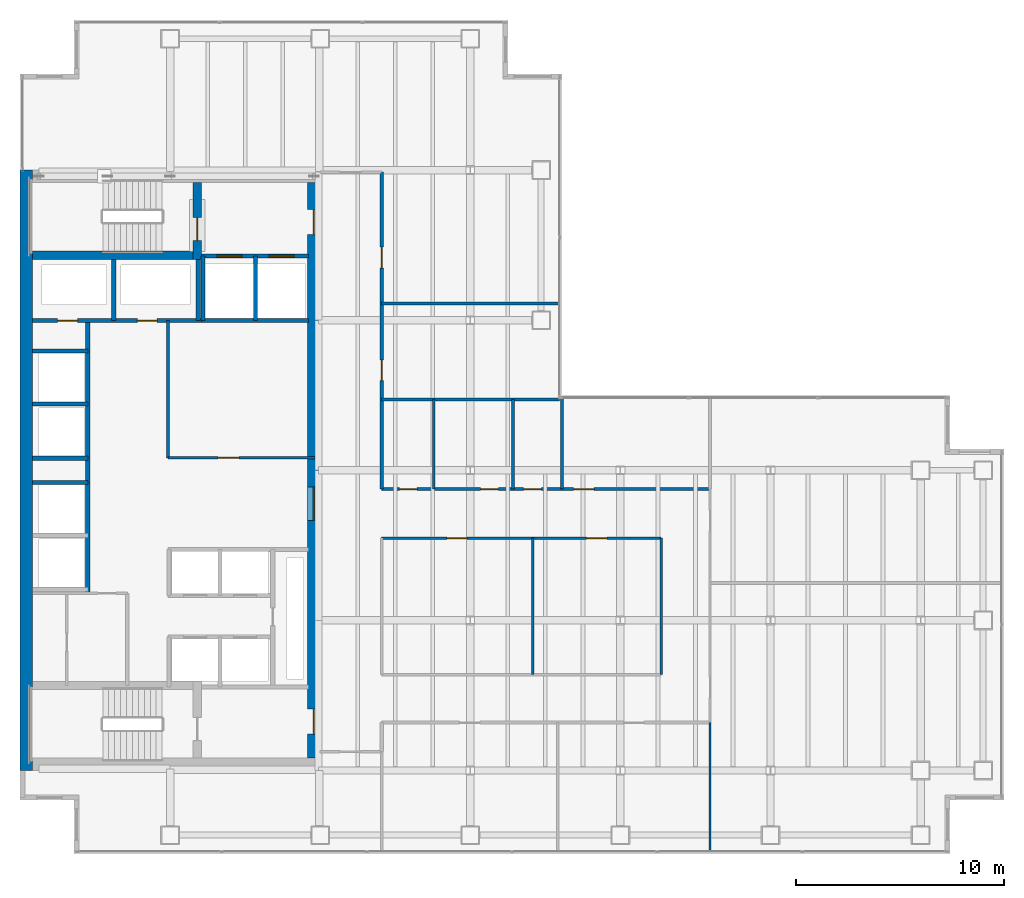
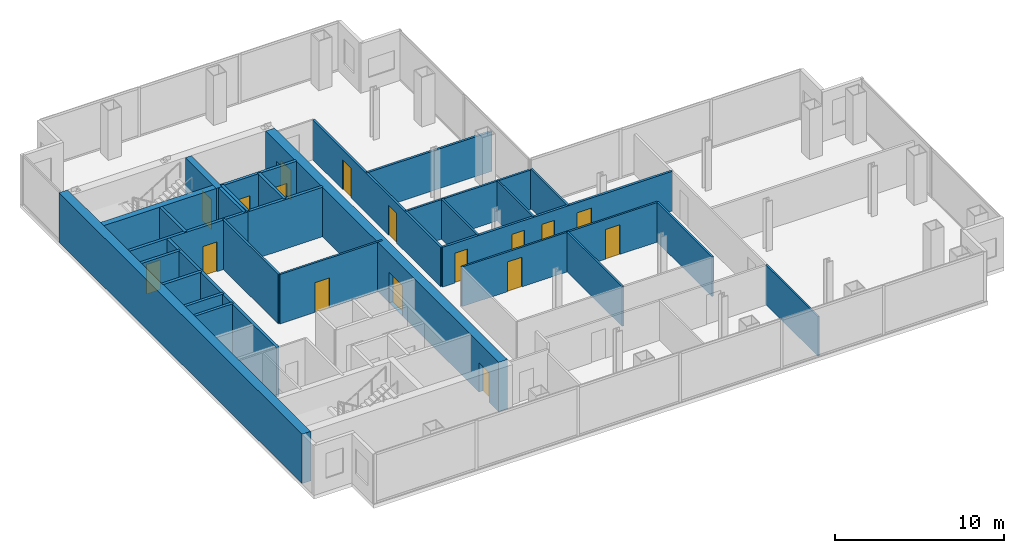
# One storey, part 21 of 23: 29 walls, 17 doors, 17 openings.
"""IFC4 building model written with IfcOpenShell, lengths in metres."""

import ifcopenshell
import ifcopenshell.guid

model = None  # the IFC model being written
_history = None  # IfcOwnerHistory: only IFC2X3 demands one
_inside = {}  # id of a spatial element -> (the spatial element, [elements in it])
_under = {}  # id of a project, library or spatial element -> (it, [spatial elements below it])
_declared = {}  # id of a project -> (the project, [libraries it declares])
_typed = {}  # id of a type object -> (the type object, [elements of that type])
_made_of = {}  # id of a material, layer set ... -> (it, [elements and type objects made of it])


def new_model(schema):
    """Start an empty IFC model of exactly this schema.

    Asked for "IFC4X3", IfcOpenShell would pick the latest addendum, in which some entities
    have other attributes; the version numbers below select the first issue.
    IFC2X3 requires an IfcOwnerHistory on every rooted entity: one is made here for all.
    """
    global model, _history
    if schema == "IFC4X3":
        model = ifcopenshell.file(schema_version=(4, 3, 0, 0))
    else:
        model = ifcopenshell.file(schema=schema)
    _inside.clear()
    _under.clear()
    _declared.clear()
    _typed.clear()
    _made_of.clear()
    _history = None
    if model.schema == "IFC2X3":
        org = make("IfcOrganization", Name="unknown")
        user = make(
            "IfcPersonAndOrganization",
            ThePerson=make("IfcPerson", FamilyName="unknown"),
            TheOrganization=org,
        )
        app = make(
            "IfcApplication",
            ApplicationDeveloper=org,
            Version="unknown",
            ApplicationFullName="unknown",
            ApplicationIdentifier="unknown",
        )
        _history = make(
            "IfcOwnerHistory",
            OwningUser=user,
            OwningApplication=app,
            ChangeAction="ADDED",
            CreationDate=0,
        )
    return model


def make(cls, **values):
    """One entity of the class cls with the attributes given. An attribute that is None is left unset."""
    return model.create_entity(
        cls, **{name: value for name, value in values.items() if value is not None}
    )


def rooted(cls, **values):
    """An entity with a GlobalId (a new one), such as an element, a storey or a relation."""
    return make(cls, GlobalId=ifcopenshell.guid.new(), OwnerHistory=_history, **values)


def si_unit(unit_type, name, prefix=None):
    """IfcSIUnit, for example si_unit("LENGTHUNIT", "METRE", prefix="MILLI")."""
    return make("IfcSIUnit", UnitType=unit_type, Prefix=prefix, Name=name)


def assignment(units):
    """IfcUnitAssignment: the units of a project."""
    return None if units is None else make("IfcUnitAssignment", Units=units)


def point(xyz):
    """IfcCartesianPoint."""
    return None if xyz is None else make("IfcCartesianPoint", Coordinates=xyz)


def direction(xyz):
    """IfcDirection."""
    return None if xyz is None else make("IfcDirection", DirectionRatios=xyz)


def frame(location, z_axis=None, x_axis=None):
    """IfcAxis2Placement3D, a coordinate frame: its origin and axes. An axis left out is left unset."""
    return make(
        "IfcAxis2Placement3D",
        Location=point(location),
        Axis=direction(z_axis),
        RefDirection=direction(x_axis),
    )


def frame_2d(location, x_axis=None):
    """IfcAxis2Placement2D, a coordinate frame in the plane: its origin and x axis."""
    return make(
        "IfcAxis2Placement2D", Location=point(location), RefDirection=direction(x_axis)
    )


def origin():
    """The frame at (0, 0, 0) with its axes left unset."""
    return frame((0.0, 0.0, 0.0))


def place(relative_to, where):
    """IfcLocalPlacement: puts the frame where relative to a parent placement (None: the world)."""
    return make(
        "IfcLocalPlacement", PlacementRelTo=relative_to, RelativePlacement=where
    )


def context(
    kind, dimensions, precision=None, world=None, true_north=None, identifier=None
):
    """IfcGeometricRepresentationContext, for example the 3D "Model" context."""
    return make(
        "IfcGeometricRepresentationContext",
        ContextIdentifier=identifier,
        ContextType=kind,
        CoordinateSpaceDimension=dimensions,
        Precision=precision,
        WorldCoordinateSystem=world,
        TrueNorth=true_north,
    )


def subcontext(parent, identifier, kind, view, scale=None):
    """IfcGeometricRepresentationSubContext, for example "Body" below "Model"."""
    return make(
        "IfcGeometricRepresentationSubContext",
        ContextIdentifier=identifier,
        ContextType=kind,
        ParentContext=parent,
        TargetScale=scale,
        TargetView=view,
    )


def project(units=None, contexts=None):
    """IfcProject with its units and contexts."""
    return rooted(
        "IfcProject",
        Name="project",
        RepresentationContexts=contexts,
        UnitsInContext=assignment(units),
    )


def spatial(cls, under=None, at=None, **own):
    """A site, building, storey or space (cls), placed at a placement, below another one or the project."""
    s = rooted(cls, ObjectPlacement=at, **own)
    if under is not None:
        _under.setdefault(under.id(), (under, []))[1].append(s)
    return s


def profile(cls, at=None, kind="AREA", **sizes):
    """A parametric profile (cls). Its sizes go by their IFC names, for example OverallWidth=200.0."""
    return make(cls, ProfileType=kind, Position=at, **sizes)


def rectangle(**sizes):
    """IfcRectangleProfileDef."""
    return profile("IfcRectangleProfileDef", **sizes)


def extrude(swept, where, along, depth):
    """IfcExtrudedAreaSolid: the profile swept, set in the frame where, extruded along a direction by depth."""
    return make(
        "IfcExtrudedAreaSolid",
        SweptArea=swept,
        Position=where,
        ExtrudedDirection=direction(along),
        Depth=depth,
    )


def shape(context_of_items, identifier, shape_type, items):
    """IfcShapeRepresentation: the items that make up one representation, for example the "Body"."""
    return make(
        "IfcShapeRepresentation",
        ContextOfItems=context_of_items,
        RepresentationIdentifier=identifier,
        RepresentationType=shape_type,
        Items=items,
    )


def material(Name=None, Category=None):
    """IfcMaterial."""
    return make("IfcMaterial", Name=Name, Category=Category)


def layer(
    of_material, thickness, ventilated=None, Name=None, Category=None, Priority=None
):
    """IfcMaterialLayer: one layer of a wall or slab, of a material (None: an air gap)."""
    return make(
        "IfcMaterialLayer",
        Material=of_material,
        LayerThickness=thickness,
        IsVentilated=ventilated,
        Name=Name,
        Category=Category,
        Priority=Priority,
    )


def layer_set(layers, Name=None):
    """IfcMaterialLayerSet."""
    return make("IfcMaterialLayerSet", MaterialLayers=layers, LayerSetName=Name)


def made_of(thing, what):
    """Note that an element or type object is made of a material, layer set ...; save() writes the relation."""
    if what is not None:
        _made_of.setdefault(what.id(), (what, []))[1].append(thing)
    return thing


def type_object(cls, material=None, **own):
    """A type object (cls), such as IfcWallType, which elements share."""
    return made_of(rooted(cls, **own), material)


def element(
    cls,
    number,
    at=None,
    inside=None,
    cuts=None,
    type_object=None,
    material=None,
    context=None,
    identifier="Body",
    shape_type=None,
    held_by="IfcProductDefinitionShape",
    body=None,
    shapes=None,
    **own,
):
    """One element of the class cls, such as IfcWall. Its Tag is "e" and its number.

    at: its placement. inside: the storey or other place that contains it. cuts: it is an
    opening in that element (IfcRelVoidsElement). A single representation is given by context,
    identifier, shape_type and body (its items); several are given by shapes. held_by: the class
    of the entity that holds the representations. save() writes the other relations.
    """
    e = rooted(cls, Tag="e%d" % number, ObjectPlacement=at, **own)
    if body is not None:
        shapes = [shape(context, identifier, shape_type, body)]
    if shapes is not None:
        e.Representation = make(held_by, Representations=shapes)
    if inside is not None:
        _inside.setdefault(inside.id(), (inside, []))[1].append(e)
    if cuts is not None:
        rooted(
            "IfcRelVoidsElement", RelatingBuildingElement=cuts, RelatedOpeningElement=e
        )
    if type_object is not None:
        _typed.setdefault(type_object.id(), (type_object, []))[1].append(e)
    return made_of(e, material)


def fill(opening, filler):
    """IfcRelFillsElement: the door or window that sits in an opening."""
    return rooted(
        "IfcRelFillsElement",
        RelatingOpeningElement=opening,
        RelatedBuildingElement=filler,
    )


def aggregate(whole, parts):
    """IfcRelAggregates: a whole, such as a stair, and the parts it consists of."""
    return rooted("IfcRelAggregates", RelatingObject=whole, RelatedObjects=parts)


def save(model, path):
    """Write the relations noted so far, then the file.

    IfcRelAggregates (storeys below a building ...), IfcRelContainedInSpatialStructure (elements
    in a storey), IfcRelDefinesByType, IfcRelAssociatesMaterial and IfcRelDeclares: one each for
    every whole, place, type object, material and project.
    """
    for whole, parts in _under.values():
        aggregate(whole, parts)
    for where, things in _inside.values():
        rooted(
            "IfcRelContainedInSpatialStructure",
            RelatedElements=things,
            RelatingStructure=where,
        )
    for kind, things in _typed.values():
        rooted("IfcRelDefinesByType", RelatedObjects=things, RelatingType=kind)
    for what, things in _made_of.values():
        rooted("IfcRelAssociatesMaterial", RelatedObjects=things, RelatingMaterial=what)
    for by, libraries in _declared.values():
        rooted("IfcRelDeclares", RelatingContext=by, RelatedDefinitions=libraries)
    model.write(path)


model = new_model("IFC4")

# Units and contexts
model_context = context("Model", 3, precision=1e-05, world=origin(), true_north=direction((0.0, 1.0)))
body_context = subcontext(model_context, "Body", "Model", "MODEL_VIEW")
ifc_project = project(units=[si_unit("LENGTHUNIT", "METRE"), si_unit("AREAUNIT", "SQUARE_METRE"), si_unit("VOLUMEUNIT", "CUBIC_METRE"), si_unit("PLANEANGLEUNIT", "RADIAN"), si_unit("MASSUNIT", "GRAM", prefix="KILO")], contexts=[model_context])

# Site, building, storey
site_placement = place(None, origin())
site = spatial("IfcSite", under=ifc_project, at=site_placement, CompositionType="ELEMENT")
building_placement = place(site_placement, origin())
building = spatial("IfcBuilding", under=site, at=building_placement, Name="Cobrela Telecom Tower", CompositionType="ELEMENT")
storey_placement = place(building_placement, frame((0.0, 0.0, 144.550048828125)))
storey = spatial("IfcBuildingStorey", under=building, at=storey_placement, Name="L36", CompositionType="ELEMENT", Elevation=144.550048828125)

# Wall
ifc_material_1 = material(Name="Concrete C50/60", Category="concrete")
ifc_layer_1 = layer(ifc_material_1, 0.60009765625)
ifc_layer_set_1 = layer_set([ifc_layer_1], Name="Concrete C50/60")
wall_type_1 = type_object("IfcWallType", Name="WALL-CORE-C50-600", PredefinedType="SHEAR", material=ifc_layer_set_1)
wall_1_placement = place(storey_placement, frame((0.300048828125, 7.199951171875, 0.0), z_axis=(0.0, 0.0, 1.0), x_axis=(0.0, 1.0, 0.0)))
element("IfcWall", 1, at=wall_1_placement, inside=storey, type_object=wall_type_1, Name="L36 West Core Shear Wall", PredefinedType="SHEAR", context=body_context, shape_type="SweptSolid", body=[
    extrude(rectangle(XDim=28.800048828125, YDim=0.60009765625, at=frame_2d((14.39990234375, 0.0))), origin(), (0.0, 0.0, 1.0), 3.579833984375),
])

# Wall, openings, doors
wall_2_placement = place(storey_placement, frame((14.10009765625, 35.39990234375, 0.0), z_axis=(0.0, 0.0, 1.0), x_axis=(0.0, -1.0, 0.0)))
wall_2 = element("IfcWall", 2, at=wall_2_placement, inside=storey, type_object=wall_type_1, Name="L36 East Core Shear Wall", PredefinedType="SHEAR", context=body_context, shape_type="SweptSolid", body=[
    extrude(rectangle(XDim=27.599853515625, YDim=0.60009765625, at=frame_2d((13.7998046875, 0.0))), origin(), (0.0, 0.0, 1.0), 3.579833984375),
])
opening_1_placement = place(wall_2_placement, frame((1.300048828125, 0.0, 0.0)))
opening_1 = element("IfcOpeningElement", 3, at=opening_1_placement, cuts=wall_2, Name="Opening DR-19", PredefinedType="OPENING", context=body_context, shape_type="SweptSolid", body=[
    extrude(rectangle(XDim=1.199951171875, YDim=2.14990234375, at=frame_2d((0.60009765625, 1.074951171875))), frame((0.0, 0.31201171875, 0.0), z_axis=(0.0, -1.0, 0.0), x_axis=(1.0, 0.0, 0.0)), (0.0, 0.0, 1.0), 0.6240234375),
])
opening_2_placement = place(wall_2_placement, frame((25.25, 0.0, 0.0)))
opening_2 = element("IfcOpeningElement", 4, at=opening_2_placement, cuts=wall_2, Name="Opening DR-19", PredefinedType="OPENING", context=body_context, shape_type="SweptSolid", body=[
    extrude(rectangle(XDim=1.199951171875, YDim=2.14990234375, at=frame_2d((0.60009765625, 1.074951171875))), frame((0.0, 0.31201171875, 0.0), z_axis=(0.0, -1.0, 0.0), x_axis=(1.0, 0.0, 0.0)), (0.0, 0.0, 1.0), 0.6240234375),
])
opening_3_placement = place(wall_2_placement, frame((14.60009765625, 0.0, 0.0)))
opening_3 = element("IfcOpeningElement", 5, at=opening_3_placement, cuts=wall_2, Name="Opening DR-51", PredefinedType="OPENING", context=body_context, shape_type="SweptSolid", body=[
    extrude(rectangle(XDim=1.60009765625, YDim=2.199951171875, at=frame_2d((0.800048828125, 1.10009765625))), frame((0.0, 0.31201171875, 0.0), z_axis=(0.0, -1.0, 0.0), x_axis=(1.0, 0.0, 0.0)), (0.0, 0.0, 1.0), 0.6240234375),
])
ifc_material_2 = material(Name="Steel ASTM A36", Category="steel")
door_type_1 = type_object("IfcDoorType", Name="DOOR-FD60-1200", OperationType="SINGLE_SWING_LEFT", PredefinedType="DOOR", material=ifc_material_2)
door_1_placement = place(opening_1_placement, origin())
door_1 = element("IfcDoor", 6, at=door_1_placement, inside=storey, type_object=door_type_1, Name="L36 Door DR-19", OperationType="SINGLE_SWING_LEFT", OverallHeight=2.14990234375, OverallWidth=1.199951171875, PredefinedType="DOOR", context=body_context, shape_type="SweptSolid", body=[
    extrude(rectangle(XDim=1.199951171875, YDim=2.14990234375, at=frame_2d((0.60009765625, 1.074951171875))), frame((0.0, 0.02490234375, 0.0), z_axis=(0.0, -1.0, 0.0), x_axis=(1.0, 0.0, 0.0)), (0.0, 0.0, 1.0), 0.050048828125),
])
fill(opening_1, door_1)
door_2_placement = place(opening_2_placement, origin())
door_2 = element("IfcDoor", 7, at=door_2_placement, inside=storey, type_object=door_type_1, Name="L36 Door DR-19", OperationType="SINGLE_SWING_RIGHT", OverallHeight=2.14990234375, OverallWidth=1.199951171875, PredefinedType="DOOR", context=body_context, shape_type="SweptSolid", body=[
    extrude(rectangle(XDim=1.199951171875, YDim=2.14990234375, at=frame_2d((0.60009765625, 1.074951171875))), frame((0.0, 0.02490234375, 0.0), z_axis=(0.0, -1.0, 0.0), x_axis=(1.0, 0.0, 0.0)), (0.0, 0.0, 1.0), 0.050048828125),
])
fill(opening_2, door_2)
door_type_2 = type_object("IfcDoorType", Name="DOOR-FD60-1600", OperationType="SINGLE_SWING_LEFT", PredefinedType="DOOR", material=ifc_material_2)
door_3_placement = place(opening_3_placement, origin())
door_3 = element("IfcDoor", 8, at=door_3_placement, inside=storey, type_object=door_type_2, Name="L36 Door DR-51", OperationType="DOUBLE_DOOR_SINGLE_SWING", OverallHeight=2.199951171875, OverallWidth=1.60009765625, PredefinedType="DOOR", context=body_context, shape_type="SweptSolid", body=[
    extrude(rectangle(XDim=1.60009765625, YDim=2.199951171875, at=frame_2d((0.800048828125, 1.10009765625))), frame((0.0, 0.02490234375, 0.0), z_axis=(0.0, -1.0, 0.0), x_axis=(1.0, 0.0, 0.0)), (0.0, 0.0, 1.0), 0.050048828125),
])
fill(opening_3, door_3)

# Walls
ifc_material_3 = material(Name="Fire-Rated Gypsum Plasterboard")
ifc_layer_2 = layer(ifc_material_3, 0.110107421875)
ifc_layer_set_2 = layer_set([ifc_layer_2], Name="Fire-Rated Gypsum Plasterboard")
wall_type_2 = type_object("IfcWallType", Name="WALL-PART-110", PredefinedType="PARTITIONING", material=ifc_layer_set_2)
wall_3_placement = place(storey_placement, frame((33.10009765625, 3.320068359375, 0.0), z_axis=(0.0, 0.0, 1.0), x_axis=(0.0, 1.0, 0.0)))
element("IfcWall", 9, at=wall_3_placement, inside=storey, type_object=wall_type_2, Name="L36 Interior Partition W-UFE-S", PredefinedType="PARTITIONING", context=body_context, shape_type="SweptSolid", body=[
    extrude(rectangle(XDim=6.179931640625, YDim=0.110107421875, at=frame_2d((3.08984375, 0.0))), origin(), (0.0, 0.0, 1.0), 2.868896484375),
])
ifc_layer_3 = layer(ifc_material_3, 0.125)
ifc_layer_set_3 = layer_set([ifc_layer_3], Name="Fire-Rated Gypsum Plasterboard")
wall_type_3 = type_object("IfcWallType", Name="WALL-PART-125", PredefinedType="PARTITIONING", material=ifc_layer_set_3)
wall_4_placement = place(storey_placement, frame((30.75, 11.800048828125, 0.0), z_axis=(0.0, 0.0, 1.0), x_axis=(0.0, 1.0, 0.0)))
element("IfcWall", 10, at=wall_4_placement, inside=storey, type_object=wall_type_3, Name="L36 Interior Partition W-ISL-E", PredefinedType="PARTITIONING", context=body_context, shape_type="SweptSolid", body=[
    extrude(rectangle(XDim=6.550048828125, YDim=0.125, at=frame_2d((3.27490234375, 0.0))), origin(), (0.0, 0.0, 1.0), 2.868896484375),
])

# Wall, openings, doors
wall_5_placement = place(storey_placement, frame((17.35009765625, 18.35009765625, 0.0), z_axis=(0.0, 0.0, 1.0), x_axis=(1.0, 0.0, 0.0)))
wall_5 = element("IfcWall", 11, at=wall_5_placement, inside=storey, type_object=wall_type_3, Name="L36 Interior Partition W-ISL-N", PredefinedType="PARTITIONING", context=body_context, shape_type="SweptSolid", body=[
    extrude(rectangle(XDim=13.39990234375, YDim=0.125, at=frame_2d((6.699951171875, 0.0))), origin(), (0.0, 0.0, 1.0), 2.868896484375),
])
opening_4_placement = place(wall_5_placement, frame((3.1201171875, 0.0, 0.0)))
opening_4 = element("IfcOpeningElement", 12, at=opening_4_placement, cuts=wall_5, Name="Opening DR-17", PredefinedType="OPENING", context=body_context, shape_type="SweptSolid", body=[
    extrude(rectangle(XDim=0.97998046875, YDim=2.14990234375, at=frame_2d((0.489990234375, 1.074951171875))), frame((0.0, 0.074462890625, 0.0), z_axis=(0.0, -1.0, 0.0), x_axis=(1.0, 0.0, 0.0)), (0.0, 0.0, 1.0), 0.14892578125),
])
opening_5_placement = place(wall_5_placement, frame((9.820068359375, 0.0, 0.0)))
opening_5 = element("IfcOpeningElement", 13, at=opening_5_placement, cuts=wall_5, Name="Opening DR-17", PredefinedType="OPENING", context=body_context, shape_type="SweptSolid", body=[
    extrude(rectangle(XDim=0.97998046875, YDim=2.14990234375, at=frame_2d((0.489990234375, 1.074951171875))), frame((0.0, 0.074462890625, 0.0), z_axis=(0.0, -1.0, 0.0), x_axis=(1.0, 0.0, 0.0)), (0.0, 0.0, 1.0), 0.14892578125),
])
ifc_material_4 = material(Name="Solid Engineered Oak Timber", Category="wood")
door_type_3 = type_object("IfcDoorType", Name="DOOR-INT-980", OperationType="SINGLE_SWING_LEFT", PredefinedType="DOOR", material=ifc_material_4)
door_4_placement = place(opening_4_placement, origin())
door_4 = element("IfcDoor", 14, at=door_4_placement, inside=storey, type_object=door_type_3, Name="L36 Door DR-17", OperationType="SINGLE_SWING_LEFT", OverallHeight=2.14990234375, OverallWidth=0.97998046875, PredefinedType="DOOR", context=body_context, shape_type="SweptSolid", body=[
    extrude(rectangle(XDim=0.97998046875, YDim=2.14990234375, at=frame_2d((0.489990234375, 1.074951171875))), frame((0.0, 0.02490234375, 0.0), z_axis=(0.0, -1.0, 0.0), x_axis=(1.0, 0.0, 0.0)), (0.0, 0.0, 1.0), 0.050048828125),
])
fill(opening_4, door_4)
door_5_placement = place(opening_5_placement, origin())
door_5 = element("IfcDoor", 15, at=door_5_placement, inside=storey, type_object=door_type_3, Name="L36 Door DR-17", OperationType="SINGLE_SWING_RIGHT", OverallHeight=2.14990234375, OverallWidth=0.97998046875, PredefinedType="DOOR", context=body_context, shape_type="SweptSolid", body=[
    extrude(rectangle(XDim=0.97998046875, YDim=2.14990234375, at=frame_2d((0.489990234375, 1.074951171875))), frame((0.0, 0.02490234375, 0.0), z_axis=(0.0, -1.0, 0.0), x_axis=(1.0, 0.0, 0.0)), (0.0, 0.0, 1.0), 0.050048828125),
])
fill(opening_5, door_5)

# Walls
wall_6_placement = place(storey_placement, frame((24.60009765625, 11.800048828125, 0.0), z_axis=(0.0, 0.0, 1.0), x_axis=(0.0, 1.0, 0.0)))
element("IfcWall", 16, at=wall_6_placement, inside=storey, type_object=wall_type_3, Name="L36 Interior Partition W-ISLV-1", PredefinedType="PARTITIONING", context=body_context, shape_type="SweptSolid", body=[
    extrude(rectangle(XDim=6.550048828125, YDim=0.125, at=frame_2d((3.27490234375, 0.0))), origin(), (0.0, 0.0, 1.0), 2.868896484375),
])
for number, where, z_axis, x_axis, name in (
    (17, (19.85009765625, 20.699951171875, 0.0), (0.0, 0.0, 1.0), (0.0, 1.0, 0.0), "L36 Interior Partition W-WC-V1"),
    (18, (23.64990234375, 20.699951171875, 0.0), (0.0, 0.0, 1.0), (0.0, 1.0, 0.0), "L36 Interior Partition W-WC-V2"),
):
    element("IfcWall", number, at=place(storey_placement, frame(where, z_axis=z_axis, x_axis=x_axis)), inside=storey, type_object=wall_type_3, Name=name, PredefinedType="PARTITIONING", context=body_context, shape_type="SweptSolid", body=[
        extrude(rectangle(XDim=4.300048828125, YDim=0.125, at=frame_2d((2.14990234375, 0.0))), origin(), (0.0, 0.0, 1.0), 2.868896484375),
    ])

# Wall, opening, door
ifc_layer_4 = layer(ifc_material_3, 0.135009765625)
ifc_layer_set_4 = layer_set([ifc_layer_4], Name="Fire-Rated Gypsum Plasterboard")
wall_type_4 = type_object("IfcWallType", Name="WALL-PART-135", PredefinedType="PARTITIONING", material=ifc_layer_set_4)
wall_7_placement = place(storey_placement, frame((7.10009765625, 22.199951171875, 0.0), z_axis=(0.0, 0.0, 1.0), x_axis=(1.0, 0.0, 0.0)))
wall_7 = element("IfcWall", 19, at=wall_7_placement, inside=storey, type_object=wall_type_4, Name="L36 Interior Partition CW-RECL-S", PredefinedType="PARTITIONING", context=body_context, shape_type="SweptSolid", body=[
    extrude(rectangle(XDim=7.0498046875, YDim=0.135009765625, at=frame_2d((3.52490234375, 0.0))), origin(), (0.0, 0.0, 1.0), 3.579833984375),
])
opening_6_placement = place(wall_7_placement, frame((2.39990234375, 0.0, 0.0)))
opening_6 = element("IfcOpeningElement", 20, at=opening_6_placement, cuts=wall_7, Name="Opening DR-31", PredefinedType="OPENING", context=body_context, shape_type="SweptSolid", body=[
    extrude(rectangle(XDim=1.0, YDim=2.14990234375, at=frame_2d((0.5, 1.074951171875))), frame((0.0, 0.07958984375, 0.0), z_axis=(0.0, -1.0, 0.0), x_axis=(1.0, 0.0, 0.0)), (0.0, 0.0, 1.0), 0.158935546875),
])
door_type_4 = type_object("IfcDoorType", Name="DOOR-INT-1000", OperationType="SINGLE_SWING_LEFT", PredefinedType="DOOR", material=ifc_material_4)
door_6_placement = place(opening_6_placement, origin())
door_6 = element("IfcDoor", 21, at=door_6_placement, inside=storey, type_object=door_type_4, Name="L36 Door DR-31", OperationType="SINGLE_SWING_LEFT", OverallHeight=2.14990234375, OverallWidth=1.0, PredefinedType="DOOR", context=body_context, shape_type="SweptSolid", body=[
    extrude(rectangle(XDim=1.0, YDim=2.14990234375, at=frame_2d((0.5, 1.074951171875))), frame((0.0, 0.02490234375, 0.0), z_axis=(0.0, -1.0, 0.0), x_axis=(1.0, 0.0, 0.0)), (0.0, 0.0, 1.0), 0.050048828125),
])
fill(opening_6, door_6)

# Walls
wall_8_placement = place(storey_placement, frame((17.35009765625, 25.0, 0.0), z_axis=(0.0, 0.0, 1.0), x_axis=(1.0, 0.0, 0.0)))
element("IfcWall", 22, at=wall_8_placement, inside=storey, type_object=wall_type_4, Name="L36 Interior Partition W-WC-N", PredefinedType="PARTITIONING", context=body_context, shape_type="SweptSolid", body=[
    extrude(rectangle(XDim=8.52978515625, YDim=0.135009765625, at=frame_2d((4.264892578125, 0.0))), origin(), (0.0, 0.0, 1.0), 2.868896484375),
])
wall_9_placement = place(storey_placement, frame((26.0, 20.699951171875, 0.0), z_axis=(0.0, 0.0, 1.0), x_axis=(0.0, 1.0, 0.0)))
element("IfcWall", 23, at=wall_9_placement, inside=storey, type_object=wall_type_4, Name="L36 Interior Partition W-UEN-W", PredefinedType="PARTITIONING", context=body_context, shape_type="SweptSolid", body=[
    extrude(rectangle(XDim=4.380126953125, YDim=0.135009765625, at=frame_2d((2.18994140625, 0.0))), origin(), (0.0, 0.0, 1.0), 2.868896484375),
])
ifc_layer_5 = layer(ifc_material_3, 0.14990234375)
ifc_layer_set_5 = layer_set([ifc_layer_5], Name="Fire-Rated Gypsum Plasterboard")
wall_type_5 = type_object("IfcWallType", Name="WALL-PART-150", PredefinedType="PARTITIONING", material=ifc_layer_set_5)
wall_10_placement = place(storey_placement, frame((7.10009765625, 22.199951171875, 0.0), z_axis=(0.0, 0.0, 1.0), x_axis=(0.0, 1.0, 0.0)))
element("IfcWall", 24, at=wall_10_placement, inside=storey, type_object=wall_type_5, Name="L36 Interior Partition CW-RECL-W", PredefinedType="PARTITIONING", context=body_context, shape_type="SweptSolid", body=[
    extrude(rectangle(XDim=6.580078125, YDim=0.14990234375, at=frame_2d((3.2900390625, 0.0))), origin(), (0.0, 0.0, 1.0), 3.579833984375),
])

# Wall, openings, doors
wall_11_placement = place(storey_placement, frame((17.35009765625, 20.699951171875, 0.0), z_axis=(0.0, 0.0, 1.0), x_axis=(0.0, 1.0, 0.0)))
wall_11 = element("IfcWall", 25, at=wall_11_placement, inside=storey, type_object=wall_type_5, Name="L36 Interior Partition W-UW-E2", PredefinedType="PARTITIONING", context=body_context, shape_type="SweptSolid", body=[
    extrude(rectangle(XDim=15.199951171875, YDim=0.14990234375, at=frame_2d((7.60009765625, 0.0))), origin(), (0.0, 0.0, 1.0), 2.868896484375),
])
opening_7_placement = place(wall_11_placement, frame((5.199951171875, 0.0, 0.0)))
opening_7 = element("IfcOpeningElement", 26, at=opening_7_placement, cuts=wall_11, Name="Opening DR-17", PredefinedType="OPENING", context=body_context, shape_type="SweptSolid", body=[
    extrude(rectangle(XDim=0.97998046875, YDim=2.14990234375, at=frame_2d((0.489990234375, 1.074951171875))), frame((0.0, 0.0869140625, 0.0), z_axis=(0.0, -1.0, 0.0), x_axis=(1.0, 0.0, 0.0)), (0.0, 0.0, 1.0), 0.173828125),
])
opening_8_placement = place(wall_11_placement, frame((10.60009765625, 0.0, 0.0)))
opening_8 = element("IfcOpeningElement", 27, at=opening_8_placement, cuts=wall_11, Name="Opening DR-31", PredefinedType="OPENING", context=body_context, shape_type="SweptSolid", body=[
    extrude(rectangle(XDim=1.0, YDim=2.14990234375, at=frame_2d((0.5, 1.074951171875))), frame((0.0, 0.0869140625, 0.0), z_axis=(0.0, -1.0, 0.0), x_axis=(1.0, 0.0, 0.0)), (0.0, 0.0, 1.0), 0.173828125),
])
door_7_placement = place(opening_8_placement, origin())
door_7 = element("IfcDoor", 28, at=door_7_placement, inside=storey, type_object=door_type_4, Name="L36 Door DR-31", OperationType="SINGLE_SWING_LEFT", OverallHeight=2.14990234375, OverallWidth=1.0, PredefinedType="DOOR", context=body_context, shape_type="SweptSolid", body=[
    extrude(rectangle(XDim=1.0, YDim=2.14990234375, at=frame_2d((0.5, 1.074951171875))), frame((0.0, 0.02490234375, 0.0), z_axis=(0.0, -1.0, 0.0), x_axis=(1.0, 0.0, 0.0)), (0.0, 0.0, 1.0), 0.050048828125),
])
fill(opening_8, door_7)
door_8_placement = place(opening_7_placement, origin())
door_8 = element("IfcDoor", 29, at=door_8_placement, inside=storey, type_object=door_type_3, Name="L36 Door DR-17", OperationType="SINGLE_SWING_RIGHT", OverallHeight=2.14990234375, OverallWidth=0.97998046875, PredefinedType="DOOR", context=body_context, shape_type="SweptSolid", body=[
    extrude(rectangle(XDim=0.97998046875, YDim=2.14990234375, at=frame_2d((0.489990234375, 1.074951171875))), frame((0.0, 0.02490234375, 0.0), z_axis=(0.0, -1.0, 0.0), x_axis=(1.0, 0.0, 0.0)), (0.0, 0.0, 1.0), 0.050048828125),
])
fill(opening_7, door_8)

# Wall
wall_12_placement = place(storey_placement, frame((17.35009765625, 29.60009765625, 0.0), z_axis=(0.0, 0.0, 1.0), x_axis=(1.0, 0.0, 0.0)))
element("IfcWall", 30, at=wall_12_placement, inside=storey, type_object=wall_type_5, Name="L36 Interior Partition W-NPAN-N", PredefinedType="PARTITIONING", context=body_context, shape_type="SweptSolid", body=[
    extrude(rectangle(XDim=8.52978515625, YDim=0.14990234375, at=frame_2d((4.264892578125, 0.0))), origin(), (0.0, 0.0, 1.0), 2.868896484375),
])

# Wall, openings, doors
ifc_layer_6 = layer(ifc_material_3, 0.159912109375)
ifc_layer_set_6 = layer_set([ifc_layer_6], Name="Fire-Rated Gypsum Plasterboard")
wall_type_6 = type_object("IfcWallType", Name="WALL-PART-160", PredefinedType="PARTITIONING", material=ifc_layer_set_6)
wall_13_placement = place(storey_placement, frame((17.35009765625, 20.699951171875, 0.0), z_axis=(0.0, 0.0, 1.0), x_axis=(1.0, 0.0, 0.0)))
wall_13 = element("IfcWall", 31, at=wall_13_placement, inside=storey, type_object=wall_type_6, Name="L36 Interior Partition W-UN-N", PredefinedType="PARTITIONING", context=body_context, shape_type="SweptSolid", body=[
    extrude(rectangle(XDim=15.75, YDim=0.159912109375, at=frame_2d((7.875, 0.0))), origin(), (0.0, 0.0, 1.0), 2.868896484375),
])
opening_9_placement = place(wall_13_placement, frame((0.85009765625, 0.0, 0.0)))
opening_9 = element("IfcOpeningElement", 32, at=opening_9_placement, cuts=wall_13, Name="Opening DR-11", PredefinedType="OPENING", context=body_context, shape_type="SweptSolid", body=[
    extrude(rectangle(XDim=0.85009765625, YDim=2.14990234375, at=frame_2d((0.425048828125, 1.074951171875))), frame((0.0, 0.091796875, 0.0), z_axis=(0.0, -1.0, 0.0), x_axis=(1.0, 0.0, 0.0)), (0.0, 0.0, 1.0), 0.183837890625),
])
opening_10_placement = place(wall_13_placement, frame((4.75, 0.0, 0.0)))
opening_10 = element("IfcOpeningElement", 33, at=opening_10_placement, cuts=wall_13, Name="Opening DR-11", PredefinedType="OPENING", context=body_context, shape_type="SweptSolid", body=[
    extrude(rectangle(XDim=0.85009765625, YDim=2.14990234375, at=frame_2d((0.425048828125, 1.074951171875))), frame((0.0, 0.091796875, 0.0), z_axis=(0.0, -1.0, 0.0), x_axis=(1.0, 0.0, 0.0)), (0.0, 0.0, 1.0), 0.183837890625),
])
opening_11_placement = place(wall_13_placement, frame((6.81005859375, 0.0, 0.0)))
opening_11 = element("IfcOpeningElement", 34, at=opening_11_placement, cuts=wall_13, Name="Opening DR-11", PredefinedType="OPENING", context=body_context, shape_type="SweptSolid", body=[
    extrude(rectangle(XDim=0.85009765625, YDim=2.14990234375, at=frame_2d((0.425048828125, 1.074951171875))), frame((0.0, 0.091796875, 0.0), z_axis=(0.0, -1.0, 0.0), x_axis=(1.0, 0.0, 0.0)), (0.0, 0.0, 1.0), 0.183837890625),
])
opening_12_placement = place(wall_13_placement, frame((9.2099609375, 0.0, 0.0)))
opening_12 = element("IfcOpeningElement", 35, at=opening_12_placement, cuts=wall_13, Name="Opening DR-17", PredefinedType="OPENING", context=body_context, shape_type="SweptSolid", body=[
    extrude(rectangle(XDim=0.97998046875, YDim=2.14990234375, at=frame_2d((0.489990234375, 1.074951171875))), frame((0.0, 0.091796875, 0.0), z_axis=(0.0, -1.0, 0.0), x_axis=(1.0, 0.0, 0.0)), (0.0, 0.0, 1.0), 0.183837890625),
])
door_type_5 = type_object("IfcDoorType", Name="DOOR-INT-850", OperationType="SINGLE_SWING_LEFT", PredefinedType="DOOR", material=ifc_material_4)
door_9_placement = place(opening_9_placement, origin())
door_9 = element("IfcDoor", 36, at=door_9_placement, inside=storey, type_object=door_type_5, Name="L36 Door DR-11", OperationType="SINGLE_SWING_LEFT", OverallHeight=2.14990234375, OverallWidth=0.85009765625, PredefinedType="DOOR", context=body_context, shape_type="SweptSolid", body=[
    extrude(rectangle(XDim=0.85009765625, YDim=2.14990234375, at=frame_2d((0.425048828125, 1.074951171875))), frame((0.0, 0.02490234375, 0.0), z_axis=(0.0, -1.0, 0.0), x_axis=(1.0, 0.0, 0.0)), (0.0, 0.0, 1.0), 0.050048828125),
])
fill(opening_9, door_9)
door_10_placement = place(opening_10_placement, origin())
door_10 = element("IfcDoor", 37, at=door_10_placement, inside=storey, type_object=door_type_5, Name="L36 Door DR-11", OperationType="SINGLE_SWING_RIGHT", OverallHeight=2.14990234375, OverallWidth=0.85009765625, PredefinedType="DOOR", context=body_context, shape_type="SweptSolid", body=[
    extrude(rectangle(XDim=0.85009765625, YDim=2.14990234375, at=frame_2d((0.425048828125, 1.074951171875))), frame((0.0, 0.02490234375, 0.0), z_axis=(0.0, -1.0, 0.0), x_axis=(1.0, 0.0, 0.0)), (0.0, 0.0, 1.0), 0.050048828125),
])
fill(opening_10, door_10)
door_11_placement = place(opening_11_placement, origin())
door_11 = element("IfcDoor", 38, at=door_11_placement, inside=storey, type_object=door_type_5, Name="L36 Door DR-11", OperationType="SINGLE_SWING_LEFT", OverallHeight=2.14990234375, OverallWidth=0.85009765625, PredefinedType="DOOR", context=body_context, shape_type="SweptSolid", body=[
    extrude(rectangle(XDim=0.85009765625, YDim=2.14990234375, at=frame_2d((0.425048828125, 1.074951171875))), frame((0.0, 0.02490234375, 0.0), z_axis=(0.0, -1.0, 0.0), x_axis=(1.0, 0.0, 0.0)), (0.0, 0.0, 1.0), 0.050048828125),
])
fill(opening_11, door_11)
door_12_placement = place(opening_12_placement, origin())
door_12 = element("IfcDoor", 39, at=door_12_placement, inside=storey, type_object=door_type_3, Name="L36 Door DR-17", OperationType="SINGLE_SWING_RIGHT", OverallHeight=2.14990234375, OverallWidth=0.97998046875, PredefinedType="DOOR", context=body_context, shape_type="SweptSolid", body=[
    extrude(rectangle(XDim=0.97998046875, YDim=2.14990234375, at=frame_2d((0.489990234375, 1.074951171875))), frame((0.0, 0.02490234375, 0.0), z_axis=(0.0, -1.0, 0.0), x_axis=(1.0, 0.0, 0.0)), (0.0, 0.0, 1.0), 0.050048828125),
])
fill(opening_12, door_12)

ifc_layer_7 = layer(ifc_material_3, 0.199951171875)
ifc_layer_set_7 = layer_set([ifc_layer_7], Name="Fire-Rated Gypsum Plasterboard")
wall_type_7 = type_object("IfcWallType", Name="WALL-SHAFT-200", PredefinedType="PARTITIONING", material=ifc_layer_set_7)
wall_14_placement = place(storey_placement, frame((8.699951171875, 31.8798828125, 0.0), z_axis=(0.0, 0.0, 1.0), x_axis=(1.0, 0.0, 0.0)))
wall_14 = element("IfcWall", 40, at=wall_14_placement, inside=storey, type_object=wall_type_7, Name="L36 Shaft Enclosure CW-FFL-S", PredefinedType="PARTITIONING", context=body_context, shape_type="SweptSolid", body=[
    extrude(rectangle(XDim=5.150146484375, YDim=0.199951171875, at=frame_2d((2.5751953125, 0.0))), origin(), (0.0, 0.0, 1.0), 3.579833984375),
])
opening_13_placement = place(wall_14_placement, frame((0.75, 0.0, 0.0)))
opening_13 = element("IfcOpeningElement", 41, at=opening_13_placement, cuts=wall_14, Name="Opening LD-2", PredefinedType="OPENING", context=body_context, shape_type="SweptSolid", body=[
    extrude(rectangle(XDim=1.199951171875, YDim=2.199951171875, at=frame_2d((0.60009765625, 1.10009765625))), frame((0.0, 0.11181640625, 0.0), z_axis=(0.0, -1.0, 0.0), x_axis=(1.0, 0.0, 0.0)), (0.0, 0.0, 1.0), 0.223876953125),
])
opening_14_placement = place(wall_14_placement, frame((3.25, 0.0, 0.0)))
opening_14 = element("IfcOpeningElement", 42, at=opening_14_placement, cuts=wall_14, Name="Opening LD-2", PredefinedType="OPENING", context=body_context, shape_type="SweptSolid", body=[
    extrude(rectangle(XDim=1.199951171875, YDim=2.199951171875, at=frame_2d((0.60009765625, 1.10009765625))), frame((0.0, 0.11181640625, 0.0), z_axis=(0.0, -1.0, 0.0), x_axis=(1.0, 0.0, 0.0)), (0.0, 0.0, 1.0), 0.223876953125),
])
door_type_6 = type_object("IfcDoorType", Name="DOOR-LD-FFL", OperationType="SINGLE_SWING_LEFT", PredefinedType="DOOR", material=ifc_material_2)
door_13_placement = place(opening_13_placement, origin())
door_13 = element("IfcDoor", 43, at=door_13_placement, inside=storey, type_object=door_type_6, Name="L36 Lift Landing Door LD-2", OperationType="DOUBLE_DOOR_SLIDING", OverallHeight=2.199951171875, OverallWidth=1.199951171875, PredefinedType="DOOR", context=body_context, shape_type="SweptSolid", body=[
    extrude(rectangle(XDim=1.199951171875, YDim=2.199951171875, at=frame_2d((0.60009765625, 1.10009765625))), frame((0.0, 0.02490234375, 0.0), z_axis=(0.0, -1.0, 0.0), x_axis=(1.0, 0.0, 0.0)), (0.0, 0.0, 1.0), 0.050048828125),
])
fill(opening_13, door_13)
door_14_placement = place(opening_14_placement, origin())
door_14 = element("IfcDoor", 44, at=door_14_placement, inside=storey, type_object=door_type_6, Name="L36 Lift Landing Door LD-2", OperationType="DOUBLE_DOOR_SLIDING", OverallHeight=2.199951171875, OverallWidth=1.199951171875, PredefinedType="DOOR", context=body_context, shape_type="SweptSolid", body=[
    extrude(rectangle(XDim=1.199951171875, YDim=2.199951171875, at=frame_2d((0.60009765625, 1.10009765625))), frame((0.0, 0.02490234375, 0.0), z_axis=(0.0, -1.0, 0.0), x_axis=(1.0, 0.0, 0.0)), (0.0, 0.0, 1.0), 0.050048828125),
])
fill(opening_14, door_14)

# Walls
wall_15_placement = place(storey_placement, frame((8.699951171875, 28.780029296875, 0.0), z_axis=(0.0, 0.0, 1.0), x_axis=(1.0, 0.0, 0.0)))
element("IfcWall", 45, at=wall_15_placement, inside=storey, type_object=wall_type_7, Name="L36 Shaft Enclosure CW-FFL-S2", PredefinedType="PARTITIONING", context=body_context, shape_type="SweptSolid", body=[
    extrude(rectangle(XDim=5.150146484375, YDim=0.199951171875, at=frame_2d((2.5751953125, 0.0))), origin(), (0.0, 0.0, 1.0), 3.579833984375),
])
for number, where, z_axis, x_axis, name in (
    (46, (8.780029296875, 28.780029296875, 0.0), (0.0, 0.0, 1.0), (0.0, 1.0, 0.0), "L36 Shaft Enclosure CW-FFL-W"),
    (47, (11.300048828125, 28.780029296875, 0.0), (0.0, 0.0, 1.0), (0.0, 1.0, 0.0), "L36 Shaft Enclosure CW-FFL-M"),
):
    element("IfcWall", number, at=place(storey_placement, frame(where, z_axis=z_axis, x_axis=x_axis)), inside=storey, type_object=wall_type_7, Name=name, PredefinedType="PARTITIONING", context=body_context, shape_type="SweptSolid", body=[
        extrude(rectangle(XDim=3.099853515625, YDim=0.199951171875, at=frame_2d((1.5498046875, 0.0))), origin(), (0.0, 0.0, 1.0), 3.579833984375),
    ])

# Wall, openings, doors
wall_16_placement = place(storey_placement, frame((0.60009765625, 28.780029296875, 0.0), z_axis=(0.0, 0.0, 1.0), x_axis=(1.0, 0.0, 0.0)))
wall_16 = element("IfcWall", 48, at=wall_16_placement, inside=storey, type_object=wall_type_7, Name="L36 Shaft Enclosure CW-RIS-S", PredefinedType="PARTITIONING", context=body_context, shape_type="SweptSolid", body=[
    extrude(rectangle(XDim=8.179931640625, YDim=0.199951171875, at=frame_2d((4.08984375, 0.0))), origin(), (0.0, 0.0, 1.0), 3.579833984375),
])
opening_15_placement = place(wall_16_placement, frame((1.2099609375, 0.0, 0.0)))
opening_15 = element("IfcOpeningElement", 49, at=opening_15_placement, cuts=wall_16, Name="Opening DR-65", PredefinedType="OPENING", context=body_context, shape_type="SweptSolid", body=[
    extrude(rectangle(XDim=0.949951171875, YDim=2.14990234375, at=frame_2d((0.47509765625, 1.074951171875))), frame((0.0, 0.11181640625, 0.0), z_axis=(0.0, -1.0, 0.0), x_axis=(1.0, 0.0, 0.0)), (0.0, 0.0, 1.0), 0.223876953125),
])
opening_16_placement = place(wall_16_placement, frame((5.030029296875, 0.0, 0.0)))
opening_16 = element("IfcOpeningElement", 50, at=opening_16_placement, cuts=wall_16, Name="Opening DR-65", PredefinedType="OPENING", context=body_context, shape_type="SweptSolid", body=[
    extrude(rectangle(XDim=0.949951171875, YDim=2.14990234375, at=frame_2d((0.47509765625, 1.074951171875))), frame((0.0, 0.11181640625, 0.0), z_axis=(0.0, -1.0, 0.0), x_axis=(1.0, 0.0, 0.0)), (0.0, 0.0, 1.0), 0.223876953125),
])
door_type_7 = type_object("IfcDoorType", Name="DOOR-FD60-950", OperationType="SINGLE_SWING_LEFT", PredefinedType="DOOR", material=ifc_material_2)
door_15_placement = place(opening_15_placement, origin())
door_15 = element("IfcDoor", 51, at=door_15_placement, inside=storey, type_object=door_type_7, Name="L36 Door DR-65", OperationType="SINGLE_SWING_LEFT", OverallHeight=2.14990234375, OverallWidth=0.949951171875, PredefinedType="DOOR", context=body_context, shape_type="SweptSolid", body=[
    extrude(rectangle(XDim=0.949951171875, YDim=2.14990234375, at=frame_2d((0.47509765625, 1.074951171875))), frame((0.0, 0.02490234375, 0.0), z_axis=(0.0, -1.0, 0.0), x_axis=(1.0, 0.0, 0.0)), (0.0, 0.0, 1.0), 0.050048828125),
])
fill(opening_15, door_15)
door_16_placement = place(opening_16_placement, origin())
door_16 = element("IfcDoor", 52, at=door_16_placement, inside=storey, type_object=door_type_7, Name="L36 Door DR-65", OperationType="SINGLE_SWING_RIGHT", OverallHeight=2.14990234375, OverallWidth=0.949951171875, PredefinedType="DOOR", context=body_context, shape_type="SweptSolid", body=[
    extrude(rectangle(XDim=0.949951171875, YDim=2.14990234375, at=frame_2d((0.47509765625, 1.074951171875))), frame((0.0, 0.02490234375, 0.0), z_axis=(0.0, -1.0, 0.0), x_axis=(1.0, 0.0, 0.0)), (0.0, 0.0, 1.0), 0.050048828125),
])
fill(opening_16, door_16)

# Walls
for number, where, z_axis, x_axis, name in (
    (53, (4.5, 28.780029296875, 0.0), (0.0, 0.0, 1.0), (0.0, 1.0, 0.0), "L36 Shaft Enclosure CW-RIS-M"),
    (54, (8.550048828125, 28.780029296875, 0.0), (0.0, 0.0, 1.0), (0.0, 1.0, 0.0), "L36 Shaft Enclosure CW-RIS-E"),
):
    element("IfcWall", number, at=place(storey_placement, frame(where, z_axis=z_axis, x_axis=x_axis)), inside=storey, type_object=wall_type_7, Name=name, PredefinedType="PARTITIONING", context=body_context, shape_type="SweptSolid", body=[
        extrude(rectangle(XDim=2.93994140625, YDim=0.199951171875, at=frame_2d((1.469970703125, 0.0))), origin(), (0.0, 0.0, 1.0), 3.579833984375),
    ])
wall_17_placement = place(storey_placement, frame((3.25, 15.699951171875, 0.0), z_axis=(0.0, 0.0, 1.0), x_axis=(0.0, 1.0, 0.0)))
element("IfcWall", 55, at=wall_17_placement, inside=storey, type_object=wall_type_7, Name="L36 Shaft Enclosure CW-PLH-E", PredefinedType="PARTITIONING", context=body_context, shape_type="SweptSolid", body=[
    extrude(rectangle(XDim=13.080078125, YDim=0.199951171875, at=frame_2d((6.5400390625, 0.0))), origin(), (0.0, 0.0, 1.0), 3.579833984375),
])
for number, where, z_axis, x_axis, name in (
    (56, (0.60009765625, 22.179931640625, 0.0), (0.0, 0.0, 1.0), (1.0, 0.0, 0.0), "L36 Shaft Enclosure CW-PLH-D11"),
    (57, (0.60009765625, 24.780029296875, 0.0), (0.0, 0.0, 1.0), (1.0, 0.0, 0.0), "L36 Shaft Enclosure CW-PLH-D12"),
    (58, (0.60009765625, 21.02001953125, 0.0), (0.0, 0.0, 1.0), (1.0, 0.0, 0.0), "L36 Shaft Enclosure CW-PLH-MID"),
    (59, (0.60009765625, 27.320068359375, 0.0), (0.0, 0.0, 1.0), (1.0, 0.0, 0.0), "L36 Shaft Enclosure CW-PLH-TOP"),
):
    element("IfcWall", number, at=place(storey_placement, frame(where, z_axis=z_axis, x_axis=x_axis)), inside=storey, type_object=wall_type_7, Name=name, PredefinedType="PARTITIONING", context=body_context, shape_type="SweptSolid", body=[
        extrude(rectangle(XDim=2.64990234375, YDim=0.199951171875, at=frame_2d((1.324951171875, 0.0))), origin(), (0.0, 0.0, 1.0), 3.579833984375),
    ])
ifc_material_5 = material(Name="Concrete C40/50", Category="concrete")
ifc_layer_8 = layer(ifc_material_5, 0.39990234375)
ifc_layer_set_8 = layer_set([ifc_layer_8], Name="Concrete C40/50")
wall_type_8 = type_object("IfcWallType", Name="WALL-SHAFT-C40-400", PredefinedType="SHEAR", material=ifc_layer_set_8)
wall_18_placement = place(storey_placement, frame((0.60009765625, 31.919921875, 0.0), z_axis=(0.0, 0.0, 1.0), x_axis=(1.0, 0.0, 0.0)))
element("IfcWall", 60, at=wall_18_placement, inside=storey, type_object=wall_type_8, Name="L36 North Stair Shear Wall", PredefinedType="SHEAR", context=body_context, shape_type="SweptSolid", body=[
    extrude(rectangle(XDim=7.699951171875, YDim=0.39990234375, at=frame_2d((3.85009765625, 0.0))), origin(), (0.0, 0.0, 1.0), 3.579833984375),
])

# Wall, opening, door
wall_19_placement = place(storey_placement, frame((8.5, 31.719970703125, 0.0), z_axis=(0.0, 0.0, 1.0), x_axis=(0.0, 1.0, 0.0)))
wall_19 = element("IfcWall", 61, at=wall_19_placement, inside=storey, type_object=wall_type_8, Name="L36 North Stair Lobby Shear Wall", PredefinedType="SHEAR", context=body_context, shape_type="SweptSolid", body=[
    extrude(rectangle(XDim=3.679931640625, YDim=0.39990234375, at=frame_2d((1.83984375, 0.0))), origin(), (0.0, 0.0, 1.0), 3.579833984375),
])
opening_17_placement = place(wall_19_placement, frame((0.89990234375, 0.0, 0.0)))
opening_17 = element("IfcOpeningElement", 62, at=opening_17_placement, cuts=wall_19, Name="Opening DR-59", PredefinedType="OPENING", context=body_context, shape_type="SweptSolid", body=[
    extrude(rectangle(XDim=1.10009765625, YDim=2.14990234375, at=frame_2d((0.550048828125, 1.074951171875))), frame((0.0, 0.2119140625, 0.0), z_axis=(0.0, -1.0, 0.0), x_axis=(1.0, 0.0, 0.0)), (0.0, 0.0, 1.0), 0.423828125),
])
door_type_8 = type_object("IfcDoorType", Name="DOOR-FD60-1100", OperationType="SINGLE_SWING_LEFT", PredefinedType="DOOR", material=ifc_material_2)
door_17_placement = place(opening_17_placement, origin())
door_17 = element("IfcDoor", 63, at=door_17_placement, inside=storey, type_object=door_type_8, Name="L36 Door DR-59", OperationType="SINGLE_SWING_RIGHT", OverallHeight=2.14990234375, OverallWidth=1.10009765625, PredefinedType="DOOR", context=body_context, shape_type="SweptSolid", body=[
    extrude(rectangle(XDim=1.10009765625, YDim=2.14990234375, at=frame_2d((0.550048828125, 1.074951171875))), frame((0.0, 0.02490234375, 0.0), z_axis=(0.0, -1.0, 0.0), x_axis=(1.0, 0.0, 0.0)), (0.0, 0.0, 1.0), 0.050048828125),
])
fill(opening_17, door_17)

save(model, "model.ifc")
